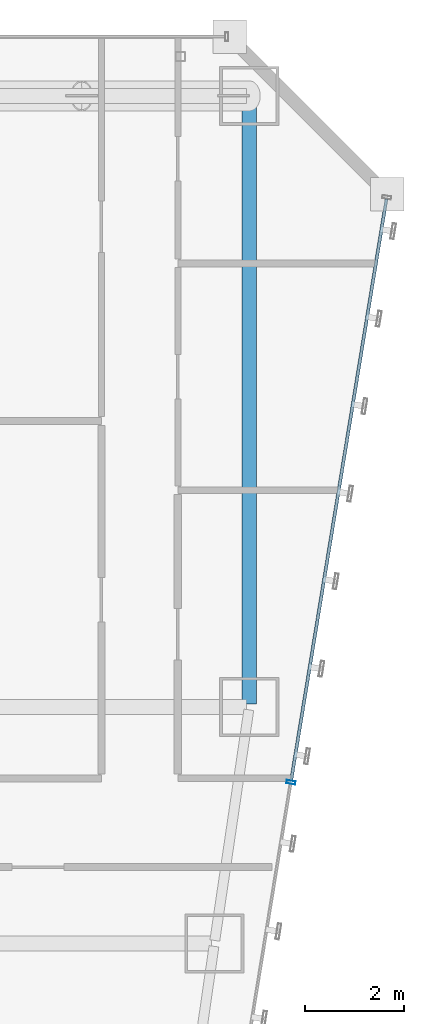
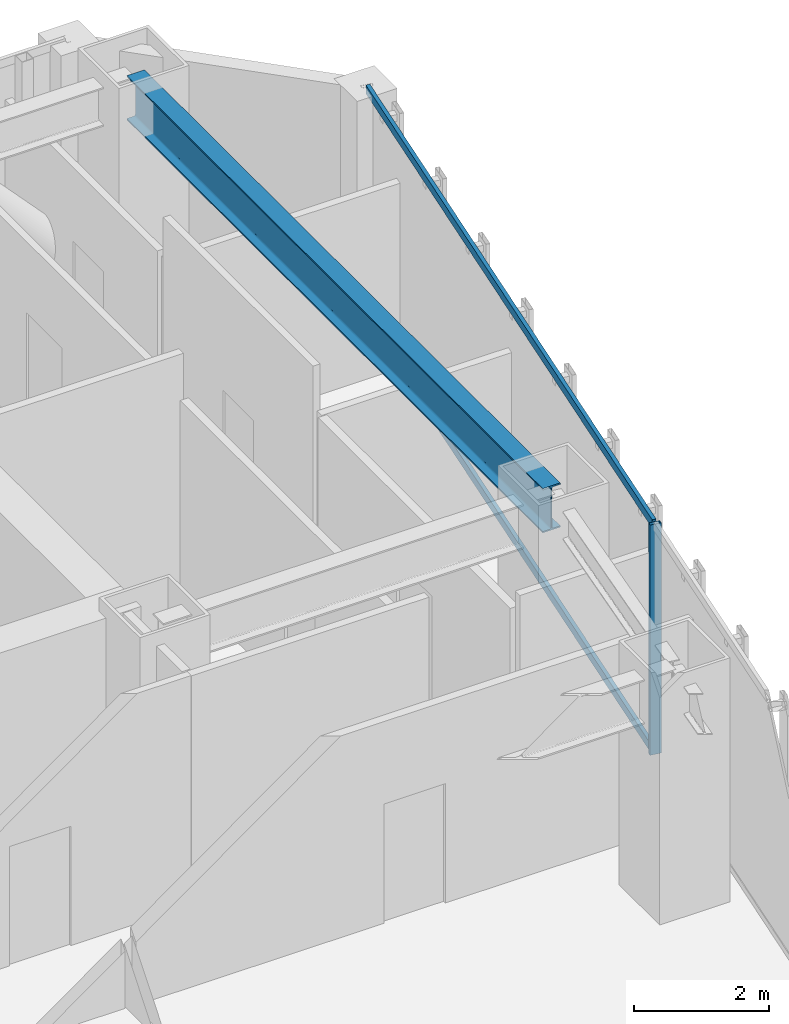
# One storey, part 31 of 47: 3 members, 1 beam, 1 element without a shape of its own.
"""IFC4 building model written with IfcOpenShell, lengths in metres."""

from ifc_helpers import new_model, si_unit, direction, frame, origin, origin_2d, place, context, subcontext, project, spatial, hollow_rectangle, i_section, extrude, material, material_profile, profile_set, type_object, element, aggregate, save


model = new_model("IFC4")

# Units and contexts
model_context = context("Model", 3, precision=1e-05, world=origin(), true_north=direction((0.0, 1.0)))
body_context = subcontext(model_context, "Body", "Model", "MODEL_VIEW")
ifc_project = project(units=[si_unit("LENGTHUNIT", "METRE"), si_unit("AREAUNIT", "SQUARE_METRE"), si_unit("VOLUMEUNIT", "CUBIC_METRE"), si_unit("PLANEANGLEUNIT", "RADIAN"), si_unit("MASSUNIT", "GRAM", prefix="KILO")], contexts=[model_context])

# Site, building, storey
site_placement = place(None, origin())
site = spatial("IfcSite", under=ifc_project, at=site_placement, CompositionType="ELEMENT")
building_placement = place(site_placement, origin())
building = spatial("IfcBuilding", under=site, at=building_placement, Name="Saevonmaru Cultural Tower", CompositionType="ELEMENT")
storey_placement = place(building_placement, frame((0.0, 0.0, 51.60009765625)))
storey = spatial("IfcBuildingStorey", under=building, at=storey_placement, Name="L10", CompositionType="ELEMENT", Elevation=51.60009765625)

# Beam
ifc_material_1 = material(Name="Steel SM420", Category="steel")
ifc_material_profile_1 = material_profile(ifc_material_1, i_section(OverallWidth=0.300048828125, OverallDepth=0.800048828125, WebThickness=0.013916015625, FlangeThickness=0.02587890625, FilletRadius=0.028076171875, at=origin_2d()), Name="H-800x300x14x26")
ifc_profile_set_1 = profile_set([ifc_material_profile_1], Name="Steel SM420")
beam_type = type_object("IfcBeamType", Name="BM-G-H800", PredefinedType="BEAM", material=ifc_profile_set_1)
beam_placement = place(storey_placement, frame((53.199951171875, 54.739990234375, 3.75), z_axis=(0.0, -1.0, 0.0), x_axis=(1.0, 0.0, 0.0)))
element("IfcBeam", 1, at=beam_placement, inside=storey, type_object=beam_type, Name="L10 Spine Transverse Girder E", PredefinedType="BEAM", context=body_context, shape_type="SweptSolid", body=[
    extrude(i_section(OverallWidth=0.300048828125, OverallDepth=0.800048828125, WebThickness=0.013916015625, FlangeThickness=0.02587890625, FilletRadius=0.028076171875, at=origin_2d()), origin(), (0.0, 0.0, 1.0), 12.280029296875),
])

# Curtain wall, members
ifc_material_2 = material(Name="Satin Bronze Anodised Aluminium", Category="aluminium")
curtain_wall_type = type_object("IfcCurtainWallType", Name="CW-TYP-A", PredefinedType="NOTDEFINED", material=ifc_material_2)
curtain_wall_placement = place(storey_placement, origin())
curtain_wall = element("IfcCurtainWall", 2, at=curtain_wall_placement, inside=storey, type_object=curtain_wall_type, Name="L10 Unitised Curtain Wall E8", PredefinedType="NOTDEFINED")
ifc_material_profile_2 = material_profile(ifc_material_2, hollow_rectangle(XDim=0.06494140625, YDim=0.179931640625, WallThickness=0.00390625, at=origin_2d()), Name="ALU-MULL-180x65x4")
ifc_profile_set_2 = profile_set([ifc_material_profile_2], Name="Satin Bronze Anodised Aluminium")
member_type_1 = type_object("IfcMemberType", Name="ML-CW-180x65", PredefinedType="MULLION", material=ifc_profile_set_2)
member_1_placement = place(storey_placement, frame((54.045166015625, 40.870361328125, 0.0), z_axis=(0.0, 0.0, 1.0), x_axis=(0.161708868641, 0.986838508472, 0.0)))
member_1 = element("IfcMember", 3, at=member_1_placement, type_object=member_type_1, Name="CW-TW-L10-E8 mullion 4", PredefinedType="MULLION", context=body_context, shape_type="SweptSolid", body=[
    extrude(hollow_rectangle(XDim=0.06494140625, YDim=0.179931640625, WallThickness=0.00390625, at=origin_2d()), origin(), (0.0, 0.0, 1.0), 4.14990234375),
])
ifc_material_profile_3 = material_profile(ifc_material_2, hollow_rectangle(XDim=0.06494140625, YDim=0.14990234375, WallThickness=0.00390625, at=origin_2d()), Name="ALU-TRAN-150x65x4")
ifc_profile_set_3 = profile_set([ifc_material_profile_3], Name="Satin Bronze Anodised Aluminium")
member_type_2 = type_object("IfcMemberType", Name="TR-CW-150x65", PredefinedType="USERDEFINED", material=ifc_profile_set_3)
member_2_placement = place(storey_placement, frame((54.05029296875, 40.902587890625, 0.032470703125), z_axis=(0.161724530373, 0.986835941925, 0.0), x_axis=(-0.986835941925, 0.161724530373, 0.0)))
member_2 = element("IfcMember", 4, at=member_2_placement, type_object=member_type_2, Name="CW-TW-L10-E8 transom 4.1", ObjectType="TRANSOM", PredefinedType="USERDEFINED", context=body_context, shape_type="SweptSolid", body=[
    extrude(hollow_rectangle(XDim=0.06494140625, YDim=0.14990234375, WallThickness=0.00390625, at=origin_2d()), origin(), (0.0, 0.0, 1.0), 11.963623046875),
])
member_3_placement = place(storey_placement, frame((54.05029296875, 40.902587890625, 4.117431640625), z_axis=(0.161724530373, 0.986835941925, 0.0), x_axis=(-0.986835941925, 0.161724530373, 0.0)))
member_3 = element("IfcMember", 5, at=member_3_placement, type_object=member_type_2, Name="CW-TW-L10-E8 transom 4.2", ObjectType="TRANSOM", PredefinedType="USERDEFINED", context=body_context, shape_type="SweptSolid", body=[
    extrude(hollow_rectangle(XDim=0.06494140625, YDim=0.14990234375, WallThickness=0.00390625, at=origin_2d()), origin(), (0.0, 0.0, 1.0), 11.963623046875),
])
aggregate(curtain_wall, [member_1, member_2, member_3])

save(model, "model.ifc")
